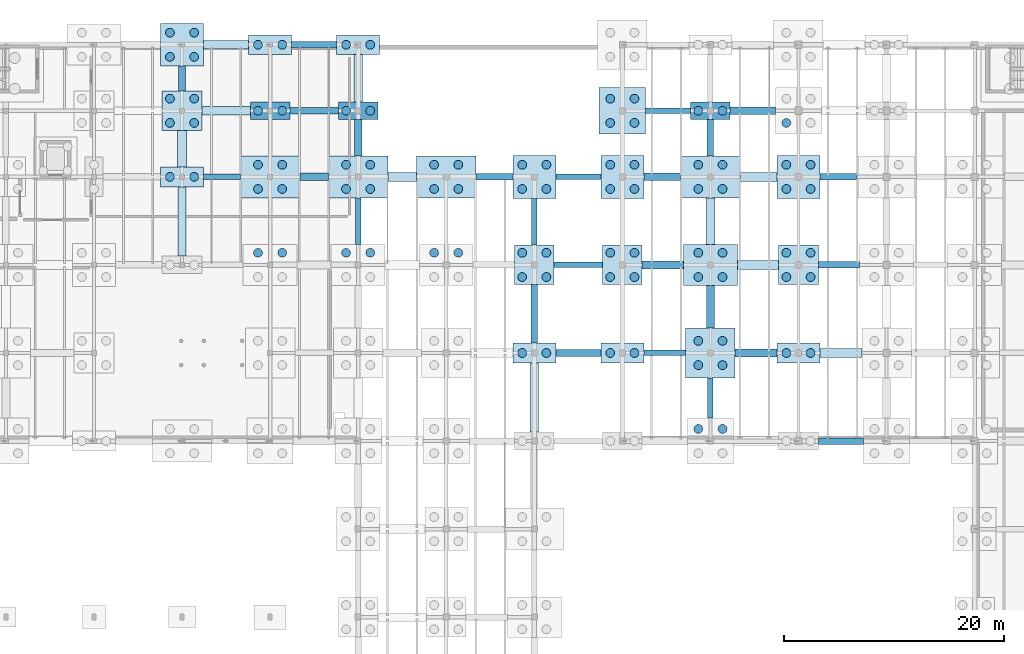
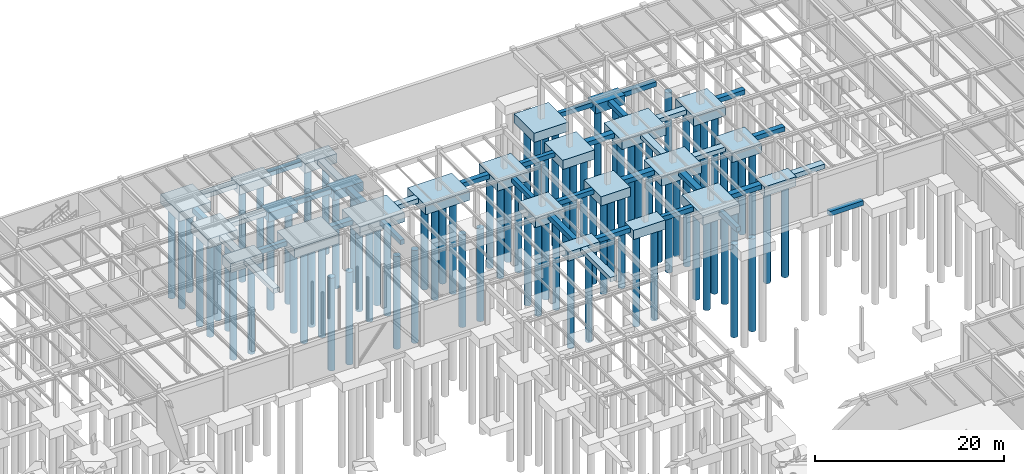
# One storey, part 6 of 71: 87 piles, 60 footings.
"""IFC4 building model written with IfcOpenShell, lengths in metres."""

from ifc_helpers import new_model, si_unit, direction, frame, origin, origin_2d, place, context, subcontext, project, spatial, rectangle, circle, extrude, material, material_profile, profile_set, type_object, element, save


model = new_model("IFC4")

# Units and contexts
model_context = context("Model", 3, precision=1e-05, world=origin(), true_north=direction((0.0, 1.0)))
body_context = subcontext(model_context, "Body", "Model", "MODEL_VIEW")
ifc_project = project(units=[si_unit("LENGTHUNIT", "METRE"), si_unit("AREAUNIT", "SQUARE_METRE"), si_unit("VOLUMEUNIT", "CUBIC_METRE"), si_unit("PLANEANGLEUNIT", "RADIAN"), si_unit("MASSUNIT", "GRAM", prefix="KILO")], contexts=[model_context])

# Site, building, storey
site_placement = place(None, origin())
site = spatial("IfcSite", under=ifc_project, at=site_placement, CompositionType="ELEMENT")
building_placement = place(site_placement, origin())
building = spatial("IfcBuilding", under=site, at=building_placement, Name="Sundkrona Museum", CompositionType="ELEMENT")
storey_placement = place(building_placement, frame((0.0, 0.0, -5.39990234375)))
storey = spatial("IfcBuildingStorey", under=building, at=storey_placement, Name="B1", CompositionType="ELEMENT", Elevation=-5.39990234375)

# Footings
ifc_material = material(Name="Concrete C40/50", Category="concrete")
footing_type_1 = type_object("IfcFootingType", Name="GB-500", PredefinedType="FOOTING_BEAM", material=ifc_material)
footing_1_placement = place(storey_placement, frame((107.85009765625, 86.0, -0.7001953125), z_axis=(0.0, 0.0, 1.0), x_axis=(1.0, 0.0, 0.0)))
element("IfcFooting", 1, at=footing_1_placement, inside=storey, type_object=footing_type_1, Name="Ground Tie Beam GB-X-122", PredefinedType="FOOTING_BEAM", context=body_context, shape_type="SweptSolid", body=[
    extrude(rectangle(XDim=3.800048828125, YDim=0.5, at=origin_2d()), origin(), (0.0, 0.0, 1.0), 0.60009765625),
])
footing_2_placement = place(storey_placement, frame((100.0, 94.0, -0.7001953125), z_axis=(0.0, 0.0, 1.0), x_axis=(1.0, 0.0, 0.0)))
element("IfcFooting", 2, at=footing_2_placement, inside=storey, type_object=footing_type_1, Name="Ground Tie Beam GB-X-142", PredefinedType="FOOTING_BEAM", context=body_context, shape_type="SweptSolid", body=[
    extrude(rectangle(XDim=4.39990234375, YDim=0.5, at=origin_2d()), origin(), (0.0, 0.0, 1.0), 0.60009765625),
])
footing_3_placement = place(storey_placement, frame((67.625, 102.0, -0.7001953125), z_axis=(0.0, 0.0, 1.0), x_axis=(1.0, 0.0, 0.0)))
element("IfcFooting", 3, at=footing_3_placement, inside=storey, type_object=footing_type_1, Name="Ground Tie Beam GB-X-158", PredefinedType="FOOTING_BEAM", context=body_context, shape_type="SweptSolid", body=[
    extrude(rectangle(XDim=3.35009765625, YDim=0.5, at=origin_2d()), origin(), (0.0, 0.0, 1.0), 0.60009765625),
])
for number, where, z_axis, x_axis, name in (
    (4, (100.0, 102.0, -0.7001953125), (0.0, 0.0, 1.0), (1.0, 0.0, 0.0), "Ground Tie Beam GB-X-162"),
    (5, (108.14990234375, 108.0, -0.7001953125), (0.0, 0.0, 1.0), (1.0, 0.0, 0.0), "Ground Tie Beam GB-X-178"),
):
    element("IfcFooting", number, at=place(storey_placement, frame(where, z_axis=z_axis, x_axis=x_axis)), inside=storey, type_object=footing_type_1, Name=name, PredefinedType="FOOTING_BEAM", context=body_context, shape_type="SweptSolid", body=[
        extrude(rectangle(XDim=4.10009765625, YDim=0.5, at=origin_2d()), origin(), (0.0, 0.0, 1.0), 0.60009765625),
    ])
for number, where, z_axis, x_axis, name in (
    (6, (80.0, 97.97509765625, -0.7001953125), (0.0, 0.0, 1.0), (0.0, 1.0, 0.0), "Ground Tie Beam GB-Y-238"),
    (7, (96.0, 97.925048828125, -0.7001953125), (0.0, 0.0, 1.0), (0.0, 1.0, 0.0), "Ground Tie Beam GB-Y-250"),
):
    element("IfcFooting", number, at=place(storey_placement, frame(where, z_axis=z_axis, x_axis=x_axis)), inside=storey, type_object=footing_type_1, Name=name, PredefinedType="FOOTING_BEAM", context=body_context, shape_type="SweptSolid", body=[
        extrude(rectangle(XDim=4.25, YDim=0.5, at=origin_2d()), origin(), (0.0, 0.0, 1.0), 0.60009765625),
    ])
footing_4_placement = place(storey_placement, frame((112.0, 81.925048828125, -0.7001953125), z_axis=(0.0, 0.0, 1.0), x_axis=(0.0, 1.0, 0.0)))
element("IfcFooting", 8, at=footing_4_placement, inside=storey, type_object=footing_type_1, Name="Ground Tie Beam GB-Y-254", PredefinedType="FOOTING_BEAM", context=body_context, shape_type="SweptSolid", body=[
    extrude(rectangle(XDim=3.64990234375, YDim=0.5, at=origin_2d()), origin(), (0.0, 0.0, 1.0), 0.60009765625),
])
footing_type_2 = type_object("IfcFootingType", Name="GB-600", PredefinedType="FOOTING_BEAM", material=ifc_material)
for number, where, z_axis, x_axis, name in (
    (9, (123.85009765625, 78.0, -0.7001953125), (0.0, 0.0, 1.0), (1.0, 0.0, 0.0), "Ground Tie Beam GB-X-105"),
    (10, (100.0, 86.0, -0.7001953125), (0.0, 0.0, 1.0), (1.0, 0.0, 0.0), "Ground Tie Beam GB-X-121"),
):
    element("IfcFooting", number, at=place(storey_placement, frame(where, z_axis=z_axis, x_axis=x_axis)), inside=storey, type_object=footing_type_2, Name=name, PredefinedType="FOOTING_BEAM", context=body_context, shape_type="SweptSolid", body=[
        extrude(rectangle(XDim=4.10009765625, YDim=0.60009765625, at=origin_2d()), origin(), (0.0, 0.0, 1.0), 0.60009765625),
    ])
footing_5_placement = place(storey_placement, frame((123.675048828125, 94.0, -0.7001953125), z_axis=(0.0, 0.0, 1.0), x_axis=(1.0, 0.0, 0.0)))
element("IfcFooting", 11, at=footing_5_placement, inside=storey, type_object=footing_type_2, Name="Ground Tie Beam GB-X-145", PredefinedType="FOOTING_BEAM", context=body_context, shape_type="SweptSolid", body=[
    extrude(rectangle(XDim=3.75, YDim=0.60009765625, at=origin_2d()), origin(), (0.0, 0.0, 1.0), 0.60009765625),
])
for number, where, z_axis, x_axis, name in (
    (12, (92.375, 102.0, -0.7001953125), (0.0, 0.0, 1.0), (1.0, 0.0, 0.0), "Ground Tie Beam GB-X-161"),
    (13, (123.625, 102.0, -0.7001953125), (0.0, 0.0, 1.0), (1.0, 0.0, 0.0), "Ground Tie Beam GB-X-165"),
):
    element("IfcFooting", number, at=place(storey_placement, frame(where, z_axis=z_axis, x_axis=x_axis)), inside=storey, type_object=footing_type_2, Name=name, PredefinedType="FOOTING_BEAM", context=body_context, shape_type="SweptSolid", body=[
        extrude(rectangle(XDim=3.35009765625, YDim=0.60009765625, at=origin_2d()), origin(), (0.0, 0.0, 1.0), 0.60009765625),
    ])
footing_6_placement = place(storey_placement, frame((76.0, 108.0, -0.7001953125), z_axis=(0.0, 0.0, 1.0), x_axis=(1.0, 0.0, 0.0)))
element("IfcFooting", 14, at=footing_6_placement, inside=storey, type_object=footing_type_2, Name="Ground Tie Beam GB-X-177", PredefinedType="FOOTING_BEAM", context=body_context, shape_type="SweptSolid", body=[
    extrude(rectangle(XDim=4.39990234375, YDim=0.60009765625, at=origin_2d()), origin(), (0.0, 0.0, 1.0), 0.60009765625),
])
footing_7_placement = place(storey_placement, frame((76.0, 114.0, -0.7001953125), z_axis=(0.0, 0.0, 1.0), x_axis=(1.0, 0.0, 0.0)))
element("IfcFooting", 15, at=footing_7_placement, inside=storey, type_object=footing_type_2, Name="Ground Tie Beam GB-X-189", PredefinedType="FOOTING_BEAM", context=body_context, shape_type="SweptSolid", body=[
    extrude(rectangle(XDim=4.10009765625, YDim=0.60009765625, at=origin_2d()), origin(), (0.0, 0.0, 1.0), 0.60009765625),
])
footing_8_placement = place(storey_placement, frame((64.0, 110.925048828125, -0.7001953125), z_axis=(0.0, 0.0, 1.0), x_axis=(0.0, 1.0, 0.0)))
element("IfcFooting", 16, at=footing_8_placement, inside=storey, type_object=footing_type_2, Name="Ground Tie Beam GB-Y-225", PredefinedType="FOOTING_BEAM", context=body_context, shape_type="SweptSolid", body=[
    extrude(rectangle(XDim=2.25, YDim=0.60009765625, at=origin_2d()), origin(), (0.0, 0.0, 1.0), 0.60009765625),
])
footing_9_placement = place(storey_placement, frame((96.0, 89.550048828125, -0.7001953125), z_axis=(0.0, 0.0, 1.0), x_axis=(0.0, 1.0, 0.0)))
element("IfcFooting", 17, at=footing_9_placement, inside=storey, type_object=footing_type_2, Name="Ground Tie Beam GB-Y-249", PredefinedType="FOOTING_BEAM", context=body_context, shape_type="SweptSolid", body=[
    extrude(rectangle(XDim=5.300048828125, YDim=0.60009765625, at=origin_2d()), origin(), (0.0, 0.0, 1.0), 0.60009765625),
])
footing_10_placement = place(storey_placement, frame((112.0, 105.550048828125, -0.7001953125), z_axis=(0.0, 0.0, 1.0), x_axis=(0.0, 1.0, 0.0)))
element("IfcFooting", 18, at=footing_10_placement, inside=storey, type_object=footing_type_2, Name="Ground Tie Beam GB-Y-257", PredefinedType="FOOTING_BEAM", context=body_context, shape_type="SweptSolid", body=[
    extrude(rectangle(XDim=3.300048828125, YDim=0.60009765625, at=origin_2d()), origin(), (0.0, 0.0, 1.0), 0.60009765625),
])
footing_type_3 = type_object("IfcFootingType", Name="GB-700", PredefinedType="FOOTING_BEAM", material=ifc_material)
footing_11_placement = place(storey_placement, frame((116.14990234375, 86.0, -0.7001953125), z_axis=(0.0, 0.0, 1.0), x_axis=(1.0, 0.0, 0.0)))
element("IfcFooting", 19, at=footing_11_placement, inside=storey, type_object=footing_type_3, Name="Ground Tie Beam GB-X-123", PredefinedType="FOOTING_BEAM", context=body_context, shape_type="SweptSolid", body=[
    extrude(rectangle(XDim=3.800048828125, YDim=0.699951171875, at=origin_2d()), origin(), (0.0, 0.0, 1.0), 0.60009765625),
])
footing_12_placement = place(storey_placement, frame((107.675048828125, 94.0, -0.7001953125), z_axis=(0.0, 0.0, 1.0), x_axis=(1.0, 0.0, 0.0)))
element("IfcFooting", 20, at=footing_12_placement, inside=storey, type_object=footing_type_3, Name="Ground Tie Beam GB-X-143", PredefinedType="FOOTING_BEAM", context=body_context, shape_type="SweptSolid", body=[
    extrude(rectangle(XDim=3.75, YDim=0.699951171875, at=origin_2d()), origin(), (0.0, 0.0, 1.0), 0.60009765625),
])
footing_13_placement = place(storey_placement, frame((76.0, 102.0, -0.7001953125), z_axis=(0.0, 0.0, 1.0), x_axis=(1.0, 0.0, 0.0)))
element("IfcFooting", 21, at=footing_13_placement, inside=storey, type_object=footing_type_3, Name="Ground Tie Beam GB-X-159", PredefinedType="FOOTING_BEAM", context=body_context, shape_type="SweptSolid", body=[
    extrude(rectangle(XDim=2.60009765625, YDim=0.699951171875, at=origin_2d()), origin(), (0.0, 0.0, 1.0), 0.60009765625),
])
footing_14_placement = place(storey_placement, frame((107.625, 102.0, -0.7001953125), z_axis=(0.0, 0.0, 1.0), x_axis=(1.0, 0.0, 0.0)))
element("IfcFooting", 22, at=footing_14_placement, inside=storey, type_object=footing_type_3, Name="Ground Tie Beam GB-X-163", PredefinedType="FOOTING_BEAM", context=body_context, shape_type="SweptSolid", body=[
    extrude(rectangle(XDim=3.35009765625, YDim=0.699951171875, at=origin_2d()), origin(), (0.0, 0.0, 1.0), 0.60009765625),
])
footing_15_placement = place(storey_placement, frame((115.85009765625, 108.0, -0.7001953125), z_axis=(0.0, 0.0, 1.0), x_axis=(1.0, 0.0, 0.0)))
element("IfcFooting", 23, at=footing_15_placement, inside=storey, type_object=footing_type_3, Name="Ground Tie Beam GB-X-179", PredefinedType="FOOTING_BEAM", context=body_context, shape_type="SweptSolid", body=[
    extrude(rectangle(XDim=4.10009765625, YDim=0.699951171875, at=origin_2d()), origin(), (0.0, 0.0, 1.0), 0.60009765625),
])
footing_16_placement = place(storey_placement, frame((64.0, 97.949951171875, -0.7001953125), z_axis=(0.0, 0.0, 1.0), x_axis=(0.0, 1.0, 0.0)))
element("IfcFooting", 24, at=footing_16_placement, inside=storey, type_object=footing_type_3, Name="Ground Tie Beam GB-Y-223", PredefinedType="FOOTING_BEAM", context=body_context, shape_type="SweptSolid", body=[
    extrude(rectangle(XDim=6.300048828125, YDim=0.699951171875, at=origin_2d()), origin(), (0.0, 0.0, 1.0), 0.60009765625),
])
footing_17_placement = place(storey_placement, frame((80.0, 105.550048828125, -0.7001953125), z_axis=(0.0, 0.0, 1.0), x_axis=(0.0, 1.0, 0.0)))
element("IfcFooting", 25, at=footing_17_placement, inside=storey, type_object=footing_type_3, Name="Ground Tie Beam GB-Y-239", PredefinedType="FOOTING_BEAM", context=body_context, shape_type="SweptSolid", body=[
    extrude(rectangle(XDim=3.300048828125, YDim=0.699951171875, at=origin_2d()), origin(), (0.0, 0.0, 1.0), 0.60009765625),
])
footing_18_placement = place(storey_placement, frame((112.0, 90.199951171875, -0.7001953125), z_axis=(0.0, 0.0, 1.0), x_axis=(0.0, 1.0, 0.0)))
element("IfcFooting", 26, at=footing_18_placement, inside=storey, type_object=footing_type_3, Name="Ground Tie Beam GB-Y-255", PredefinedType="FOOTING_BEAM", context=body_context, shape_type="SweptSolid", body=[
    extrude(rectangle(XDim=3.89990234375, YDim=0.699951171875, at=origin_2d()), origin(), (0.0, 0.0, 1.0), 0.60009765625),
])
footing_type_4 = type_object("IfcFootingType", Name="GB-800", PredefinedType="FOOTING_BEAM", material=ifc_material)
footing_19_placement = place(storey_placement, frame((123.85009765625, 86.0, -0.7001953125), z_axis=(0.0, 0.0, 1.0), x_axis=(1.0, 0.0, 0.0)))
element("IfcFooting", 27, at=footing_19_placement, inside=storey, type_object=footing_type_4, Name="Ground Tie Beam GB-X-124", PredefinedType="FOOTING_BEAM", context=body_context, shape_type="SweptSolid", body=[
    extrude(rectangle(XDim=3.800048828125, YDim=0.800048828125, at=origin_2d()), origin(), (0.0, 0.0, 1.0), 0.60009765625),
])
footing_20_placement = place(storey_placement, frame((116.324951171875, 94.0, -0.7001953125), z_axis=(0.0, 0.0, 1.0), x_axis=(1.0, 0.0, 0.0)))
element("IfcFooting", 28, at=footing_20_placement, inside=storey, type_object=footing_type_4, Name="Ground Tie Beam GB-X-144", PredefinedType="FOOTING_BEAM", context=body_context, shape_type="SweptSolid", body=[
    extrude(rectangle(XDim=3.75, YDim=0.800048828125, at=origin_2d()), origin(), (0.0, 0.0, 1.0), 0.60009765625),
])
footing_21_placement = place(storey_placement, frame((84.0, 102.0, -0.7001953125), z_axis=(0.0, 0.0, 1.0), x_axis=(1.0, 0.0, 0.0)))
element("IfcFooting", 29, at=footing_21_placement, inside=storey, type_object=footing_type_4, Name="Ground Tie Beam GB-X-160", PredefinedType="FOOTING_BEAM", context=body_context, shape_type="SweptSolid", body=[
    extrude(rectangle(XDim=2.60009765625, YDim=0.800048828125, at=origin_2d()), origin(), (0.0, 0.0, 1.0), 0.60009765625),
])
footing_22_placement = place(storey_placement, frame((116.375, 102.0, -0.7001953125), z_axis=(0.0, 0.0, 1.0), x_axis=(1.0, 0.0, 0.0)))
element("IfcFooting", 30, at=footing_22_placement, inside=storey, type_object=footing_type_4, Name="Ground Tie Beam GB-X-164", PredefinedType="FOOTING_BEAM", context=body_context, shape_type="SweptSolid", body=[
    extrude(rectangle(XDim=3.35009765625, YDim=0.800048828125, at=origin_2d()), origin(), (0.0, 0.0, 1.0), 0.60009765625),
])
footing_23_placement = place(storey_placement, frame((68.0, 108.0, -0.7001953125), z_axis=(0.0, 0.0, 1.0), x_axis=(1.0, 0.0, 0.0)))
element("IfcFooting", 31, at=footing_23_placement, inside=storey, type_object=footing_type_4, Name="Ground Tie Beam GB-X-176", PredefinedType="FOOTING_BEAM", context=body_context, shape_type="SweptSolid", body=[
    extrude(rectangle(XDim=4.39990234375, YDim=0.800048828125, at=origin_2d()), origin(), (0.0, 0.0, 1.0), 0.60009765625),
])
footing_24_placement = place(storey_placement, frame((68.0, 114.0, -0.7001953125), z_axis=(0.0, 0.0, 1.0), x_axis=(1.0, 0.0, 0.0)))
element("IfcFooting", 32, at=footing_24_placement, inside=storey, type_object=footing_type_4, Name="Ground Tie Beam GB-X-188", PredefinedType="FOOTING_BEAM", context=body_context, shape_type="SweptSolid", body=[
    extrude(rectangle(XDim=4.10009765625, YDim=0.800048828125, at=origin_2d()), origin(), (0.0, 0.0, 1.0), 0.60009765625),
])
footing_25_placement = place(storey_placement, frame((64.0, 104.550048828125, -0.7001953125), z_axis=(0.0, 0.0, 1.0), x_axis=(0.0, 1.0, 0.0)))
element("IfcFooting", 33, at=footing_25_placement, inside=storey, type_object=footing_type_4, Name="Ground Tie Beam GB-Y-224", PredefinedType="FOOTING_BEAM", context=body_context, shape_type="SweptSolid", body=[
    extrude(rectangle(XDim=3.300048828125, YDim=0.800048828125, at=origin_2d()), origin(), (0.0, 0.0, 1.0), 0.60009765625),
])
footing_26_placement = place(storey_placement, frame((80.0, 110.949951171875, -0.7001953125), z_axis=(0.0, 0.0, 1.0), x_axis=(0.0, 1.0, 0.0)))
element("IfcFooting", 34, at=footing_26_placement, inside=storey, type_object=footing_type_4, Name="Ground Tie Beam GB-Y-240", PredefinedType="FOOTING_BEAM", context=body_context, shape_type="SweptSolid", body=[
    extrude(rectangle(XDim=4.300048828125, YDim=0.800048828125, at=origin_2d()), origin(), (0.0, 0.0, 1.0), 0.60009765625),
])
footing_27_placement = place(storey_placement, frame((96.0, 81.949951171875, -0.7001953125), z_axis=(0.0, 0.0, 1.0), x_axis=(0.0, 1.0, 0.0)))
element("IfcFooting", 35, at=footing_27_placement, inside=storey, type_object=footing_type_4, Name="Ground Tie Beam GB-Y-248", PredefinedType="FOOTING_BEAM", context=body_context, shape_type="SweptSolid", body=[
    extrude(rectangle(XDim=6.300048828125, YDim=0.800048828125, at=origin_2d()), origin(), (0.0, 0.0, 1.0), 0.60009765625),
])
footing_28_placement = place(storey_placement, frame((112.0, 97.97509765625, -0.7001953125), z_axis=(0.0, 0.0, 1.0), x_axis=(0.0, 1.0, 0.0)))
element("IfcFooting", 36, at=footing_28_placement, inside=storey, type_object=footing_type_4, Name="Ground Tie Beam GB-Y-256", PredefinedType="FOOTING_BEAM", context=body_context, shape_type="SweptSolid", body=[
    extrude(rectangle(XDim=4.25, YDim=0.800048828125, at=origin_2d()), origin(), (0.0, 0.0, 1.0), 0.60009765625),
])

# Piles
ifc_material_profile = material_profile(ifc_material, circle(Radius=0.39990234375, at=origin_2d()), Name="PILE D800")
ifc_profile_set = profile_set([ifc_material_profile], Name="Concrete C40/50")
pile_type = type_object("IfcPileType", Name="P-800", PredefinedType="BORED", material=ifc_profile_set)
for number, where, z_axis, x_axis, name in (
    (37, (62.89990234375, 102.0, -1.150146484375), (0.0, 0.0, -1.0), (1.0, 0.0, 0.0), "Bored Pile FC-P-9-P01"),
    (38, (65.10009765625, 102.0, -1.150146484375), (0.0, 0.0, -1.0), (1.0, 0.0, 0.0), "Bored Pile FC-P-9-P02"),
    (39, (62.89990234375, 106.89990234375, -1.150146484375), (0.0, 0.0, -1.0), (1.0, 0.0, 0.0), "Bored Pile FC-Q-9-P01"),
    (40, (65.10009765625, 106.89990234375, -1.150146484375), (0.0, 0.0, -1.0), (1.0, 0.0, 0.0), "Bored Pile FC-Q-9-P02"),
    (41, (62.89990234375, 109.10009765625, -1.150146484375), (0.0, 0.0, -1.0), (1.0, 0.0, 0.0), "Bored Pile FC-Q-9-P03"),
    (42, (65.10009765625, 109.10009765625, -1.150146484375), (0.0, 0.0, -1.0), (1.0, 0.0, 0.0), "Bored Pile FC-Q-9-P04"),
    (43, (62.89990234375, 112.89990234375, -1.150146484375), (0.0, 0.0, -1.0), (1.0, 0.0, 0.0), "Bored Pile FC-R-9-P01"),
    (44, (65.10009765625, 112.89990234375, -1.150146484375), (0.0, 0.0, -1.0), (1.0, 0.0, 0.0), "Bored Pile FC-R-9-P02"),
    (45, (62.89990234375, 115.10009765625, -1.150146484375), (0.0, 0.0, -1.0), (1.0, 0.0, 0.0), "Bored Pile FC-R-9-P03"),
    (46, (65.10009765625, 115.10009765625, -1.150146484375), (0.0, 0.0, -1.0), (1.0, 0.0, 0.0), "Bored Pile FC-R-9-P04"),
    (47, (70.89990234375, 95.10009765625, -1.150146484375), (0.0, 0.0, -1.0), (1.0, 0.0, 0.0), "Bored Pile FC-N-10-P03"),
    (48, (73.10009765625, 95.10009765625, -1.150146484375), (0.0, 0.0, -1.0), (1.0, 0.0, 0.0), "Bored Pile FC-N-10-P04"),
    (49, (70.89990234375, 100.89990234375, -1.150146484375), (0.0, 0.0, -1.0), (1.0, 0.0, 0.0), "Bored Pile FC-P-10-P01"),
    (50, (73.10009765625, 100.89990234375, -1.150146484375), (0.0, 0.0, -1.0), (1.0, 0.0, 0.0), "Bored Pile FC-P-10-P02"),
    (51, (70.89990234375, 103.10009765625, -1.150146484375), (0.0, 0.0, -1.0), (1.0, 0.0, 0.0), "Bored Pile FC-P-10-P03"),
    (52, (73.10009765625, 103.10009765625, -1.150146484375), (0.0, 0.0, -1.0), (1.0, 0.0, 0.0), "Bored Pile FC-P-10-P04"),
    (53, (70.89990234375, 108.0, -1.150146484375), (0.0, 0.0, -1.0), (1.0, 0.0, 0.0), "Bored Pile FC-Q-10-P01"),
    (54, (73.10009765625, 108.0, -1.150146484375), (0.0, 0.0, -1.0), (1.0, 0.0, 0.0), "Bored Pile FC-Q-10-P02"),
    (55, (70.89990234375, 114.0, -1.150146484375), (0.0, 0.0, -1.0), (1.0, 0.0, 0.0), "Bored Pile FC-R-10-P01"),
    (56, (73.10009765625, 114.0, -1.150146484375), (0.0, 0.0, -1.0), (1.0, 0.0, 0.0), "Bored Pile FC-R-10-P02"),
    (57, (78.89990234375, 95.10009765625, -1.150146484375), (0.0, 0.0, -1.0), (1.0, 0.0, 0.0), "Bored Pile FC-N-11-P03"),
    (58, (81.10009765625, 95.10009765625, -1.150146484375), (0.0, 0.0, -1.0), (1.0, 0.0, 0.0), "Bored Pile FC-N-11-P04"),
    (59, (78.89990234375, 100.89990234375, -1.150146484375), (0.0, 0.0, -1.0), (1.0, 0.0, 0.0), "Bored Pile FC-P-11-P01"),
    (60, (81.10009765625, 100.89990234375, -1.150146484375), (0.0, 0.0, -1.0), (1.0, 0.0, 0.0), "Bored Pile FC-P-11-P02"),
    (61, (78.89990234375, 103.10009765625, -1.150146484375), (0.0, 0.0, -1.0), (1.0, 0.0, 0.0), "Bored Pile FC-P-11-P03"),
    (62, (81.10009765625, 103.10009765625, -1.150146484375), (0.0, 0.0, -1.0), (1.0, 0.0, 0.0), "Bored Pile FC-P-11-P04"),
    (63, (78.89990234375, 108.0, -1.150146484375), (0.0, 0.0, -1.0), (1.0, 0.0, 0.0), "Bored Pile FC-Q-11-P01"),
    (64, (81.10009765625, 108.0, -1.150146484375), (0.0, 0.0, -1.0), (1.0, 0.0, 0.0), "Bored Pile FC-Q-11-P02"),
    (65, (78.89990234375, 114.0, -1.150146484375), (0.0, 0.0, -1.0), (1.0, 0.0, 0.0), "Bored Pile FC-R-11-P01"),
    (66, (81.10009765625, 114.0, -1.150146484375), (0.0, 0.0, -1.0), (1.0, 0.0, 0.0), "Bored Pile FC-R-11-P02"),
    (67, (86.89990234375, 95.10009765625, -1.150146484375), (0.0, 0.0, -1.0), (1.0, 0.0, 0.0), "Bored Pile FC-N-12-P03"),
    (68, (89.10009765625, 95.10009765625, -1.150146484375), (0.0, 0.0, -1.0), (1.0, 0.0, 0.0), "Bored Pile FC-N-12-P04"),
    (69, (86.89990234375, 100.89990234375, -1.150146484375), (0.0, 0.0, -1.0), (1.0, 0.0, 0.0), "Bored Pile FC-P-12-P01"),
    (70, (89.10009765625, 100.89990234375, -1.150146484375), (0.0, 0.0, -1.0), (1.0, 0.0, 0.0), "Bored Pile FC-P-12-P02"),
    (71, (86.89990234375, 103.10009765625, -1.150146484375), (0.0, 0.0, -1.0), (1.0, 0.0, 0.0), "Bored Pile FC-P-12-P03"),
    (72, (89.10009765625, 103.10009765625, -1.150146484375), (0.0, 0.0, -1.0), (1.0, 0.0, 0.0), "Bored Pile FC-P-12-P04"),
    (73, (94.89990234375, 86.0, -1.150146484375), (0.0, 0.0, -1.0), (1.0, 0.0, 0.0), "Bored Pile FC-M-13-P01"),
    (74, (97.10009765625, 86.0, -1.150146484375), (0.0, 0.0, -1.0), (1.0, 0.0, 0.0), "Bored Pile FC-M-13-P02"),
    (75, (94.89990234375, 92.89990234375, -1.150146484375), (0.0, 0.0, -1.0), (1.0, 0.0, 0.0), "Bored Pile FC-N-13-P01"),
    (76, (97.10009765625, 92.89990234375, -1.150146484375), (0.0, 0.0, -1.0), (1.0, 0.0, 0.0), "Bored Pile FC-N-13-P02"),
    (77, (94.89990234375, 95.10009765625, -1.150146484375), (0.0, 0.0, -1.0), (1.0, 0.0, 0.0), "Bored Pile FC-N-13-P03"),
    (78, (97.10009765625, 95.10009765625, -1.150146484375), (0.0, 0.0, -1.0), (1.0, 0.0, 0.0), "Bored Pile FC-N-13-P04"),
    (79, (94.89990234375, 100.89990234375, -1.150146484375), (0.0, 0.0, -1.0), (1.0, 0.0, 0.0), "Bored Pile FC-P-13-P01"),
    (80, (97.10009765625, 100.89990234375, -1.150146484375), (0.0, 0.0, -1.0), (1.0, 0.0, 0.0), "Bored Pile FC-P-13-P02"),
    (81, (94.89990234375, 103.10009765625, -1.150146484375), (0.0, 0.0, -1.0), (1.0, 0.0, 0.0), "Bored Pile FC-P-13-P03"),
    (82, (97.10009765625, 103.10009765625, -1.150146484375), (0.0, 0.0, -1.0), (1.0, 0.0, 0.0), "Bored Pile FC-P-13-P04"),
    (83, (102.89990234375, 86.0, -1.150146484375), (0.0, 0.0, -1.0), (1.0, 0.0, 0.0), "Bored Pile FC-M-14-P01"),
    (84, (105.10009765625, 86.0, -1.150146484375), (0.0, 0.0, -1.0), (1.0, 0.0, 0.0), "Bored Pile FC-M-14-P02"),
    (85, (102.89990234375, 92.89990234375, -1.150146484375), (0.0, 0.0, -1.0), (1.0, 0.0, 0.0), "Bored Pile FC-N-14-P01"),
    (86, (105.10009765625, 92.89990234375, -1.150146484375), (0.0, 0.0, -1.0), (1.0, 0.0, 0.0), "Bored Pile FC-N-14-P02"),
    (87, (102.89990234375, 95.10009765625, -1.150146484375), (0.0, 0.0, -1.0), (1.0, 0.0, 0.0), "Bored Pile FC-N-14-P03"),
    (88, (105.10009765625, 95.10009765625, -1.150146484375), (0.0, 0.0, -1.0), (1.0, 0.0, 0.0), "Bored Pile FC-N-14-P04"),
    (89, (102.89990234375, 100.89990234375, -1.150146484375), (0.0, 0.0, -1.0), (1.0, 0.0, 0.0), "Bored Pile FC-P-14-P01"),
    (90, (105.10009765625, 100.89990234375, -1.150146484375), (0.0, 0.0, -1.0), (1.0, 0.0, 0.0), "Bored Pile FC-P-14-P02"),
    (91, (102.89990234375, 103.10009765625, -1.150146484375), (0.0, 0.0, -1.0), (1.0, 0.0, 0.0), "Bored Pile FC-P-14-P03"),
    (92, (105.10009765625, 103.10009765625, -1.150146484375), (0.0, 0.0, -1.0), (1.0, 0.0, 0.0), "Bored Pile FC-P-14-P04"),
    (93, (102.89990234375, 106.89990234375, -1.150146484375), (0.0, 0.0, -1.0), (1.0, 0.0, 0.0), "Bored Pile FC-Q-14-P01"),
    (94, (105.10009765625, 106.89990234375, -1.150146484375), (0.0, 0.0, -1.0), (1.0, 0.0, 0.0), "Bored Pile FC-Q-14-P02"),
    (95, (102.89990234375, 109.10009765625, -1.150146484375), (0.0, 0.0, -1.0), (1.0, 0.0, 0.0), "Bored Pile FC-Q-14-P03"),
    (96, (105.10009765625, 109.10009765625, -1.150146484375), (0.0, 0.0, -1.0), (1.0, 0.0, 0.0), "Bored Pile FC-Q-14-P04"),
    (97, (110.89990234375, 79.10009765625, -1.150146484375), (0.0, 0.0, -1.0), (1.0, 0.0, 0.0), "Bored Pile FC-L-15-P03"),
    (98, (113.10009765625, 79.10009765625, -1.150146484375), (0.0, 0.0, -1.0), (1.0, 0.0, 0.0), "Bored Pile FC-L-15-P04"),
    (99, (110.89990234375, 84.89990234375, -1.150146484375), (0.0, 0.0, -1.0), (1.0, 0.0, 0.0), "Bored Pile FC-M-15-P01"),
    (100, (113.10009765625, 84.89990234375, -1.150146484375), (0.0, 0.0, -1.0), (1.0, 0.0, 0.0), "Bored Pile FC-M-15-P02"),
    (101, (110.89990234375, 87.10009765625, -1.150146484375), (0.0, 0.0, -1.0), (1.0, 0.0, 0.0), "Bored Pile FC-M-15-P03"),
    (102, (113.10009765625, 87.10009765625, -1.150146484375), (0.0, 0.0, -1.0), (1.0, 0.0, 0.0), "Bored Pile FC-M-15-P04"),
    (103, (110.89990234375, 92.89990234375, -1.150146484375), (0.0, 0.0, -1.0), (1.0, 0.0, 0.0), "Bored Pile FC-N-15-P01"),
    (104, (113.10009765625, 92.89990234375, -1.150146484375), (0.0, 0.0, -1.0), (1.0, 0.0, 0.0), "Bored Pile FC-N-15-P02"),
    (105, (110.89990234375, 95.10009765625, -1.150146484375), (0.0, 0.0, -1.0), (1.0, 0.0, 0.0), "Bored Pile FC-N-15-P03"),
    (106, (113.10009765625, 95.10009765625, -1.150146484375), (0.0, 0.0, -1.0), (1.0, 0.0, 0.0), "Bored Pile FC-N-15-P04"),
    (107, (110.89990234375, 100.89990234375, -1.150146484375), (0.0, 0.0, -1.0), (1.0, 0.0, 0.0), "Bored Pile FC-P-15-P01"),
    (108, (113.10009765625, 100.89990234375, -1.150146484375), (0.0, 0.0, -1.0), (1.0, 0.0, 0.0), "Bored Pile FC-P-15-P02"),
    (109, (110.89990234375, 103.10009765625, -1.150146484375), (0.0, 0.0, -1.0), (1.0, 0.0, 0.0), "Bored Pile FC-P-15-P03"),
    (110, (113.10009765625, 103.10009765625, -1.150146484375), (0.0, 0.0, -1.0), (1.0, 0.0, 0.0), "Bored Pile FC-P-15-P04"),
    (111, (110.89990234375, 108.0, -1.150146484375), (0.0, 0.0, -1.0), (1.0, 0.0, 0.0), "Bored Pile FC-Q-15-P01"),
    (112, (113.10009765625, 108.0, -1.150146484375), (0.0, 0.0, -1.0), (1.0, 0.0, 0.0), "Bored Pile FC-Q-15-P02"),
    (113, (118.89990234375, 86.0, -1.150146484375), (0.0, 0.0, -1.0), (1.0, 0.0, 0.0), "Bored Pile FC-M-16-P01"),
    (114, (121.10009765625, 86.0, -1.150146484375), (0.0, 0.0, -1.0), (1.0, 0.0, 0.0), "Bored Pile FC-M-16-P02"),
    (115, (118.89990234375, 92.89990234375, -1.150146484375), (0.0, 0.0, -1.0), (1.0, 0.0, 0.0), "Bored Pile FC-N-16-P01"),
    (116, (121.10009765625, 92.89990234375, -1.150146484375), (0.0, 0.0, -1.0), (1.0, 0.0, 0.0), "Bored Pile FC-N-16-P02"),
    (117, (118.89990234375, 95.10009765625, -1.150146484375), (0.0, 0.0, -1.0), (1.0, 0.0, 0.0), "Bored Pile FC-N-16-P03"),
    (118, (121.10009765625, 95.10009765625, -1.150146484375), (0.0, 0.0, -1.0), (1.0, 0.0, 0.0), "Bored Pile FC-N-16-P04"),
    (119, (118.89990234375, 100.89990234375, -1.150146484375), (0.0, 0.0, -1.0), (1.0, 0.0, 0.0), "Bored Pile FC-P-16-P01"),
    (120, (121.10009765625, 100.89990234375, -1.150146484375), (0.0, 0.0, -1.0), (1.0, 0.0, 0.0), "Bored Pile FC-P-16-P02"),
    (121, (118.89990234375, 103.10009765625, -1.150146484375), (0.0, 0.0, -1.0), (1.0, 0.0, 0.0), "Bored Pile FC-P-16-P03"),
    (122, (121.10009765625, 103.10009765625, -1.150146484375), (0.0, 0.0, -1.0), (1.0, 0.0, 0.0), "Bored Pile FC-P-16-P04"),
    (123, (118.89990234375, 106.89990234375, -1.150146484375), (0.0, 0.0, -1.0), (1.0, 0.0, 0.0), "Bored Pile FC-Q-16-P01"),
):
    element("IfcPile", number, at=place(storey_placement, frame(where, z_axis=z_axis, x_axis=x_axis)), inside=storey, type_object=pile_type, Name=name, PredefinedType="BORED", context=body_context, shape_type="SweptSolid", body=[
        extrude(circle(Radius=0.39990234375, at=origin_2d()), origin(), (0.0, 0.0, 1.0), 12.0),
    ])

# Footings
footing_type_5 = type_object("IfcFootingType", Name="PC-2A", PredefinedType="PILE_CAP", material=ifc_material)
for number, where, z_axis, x_axis, name in (
    (124, (72.0, 108.0, -1.30029296875), (0.0, 0.0, 1.0), (1.0, 0.0, 0.0), "Column Pile Cap Q/10"),
    (125, (80.0, 108.0, -1.30029296875), (0.0, 0.0, 1.0), (1.0, 0.0, 0.0), "Column Pile Cap Q/11"),
    (126, (112.0, 108.0, -1.30029296875), (0.0, 0.0, 1.0), (1.0, 0.0, 0.0), "Column Pile Cap Q/15"),
):
    element("IfcFooting", number, at=place(storey_placement, frame(where, z_axis=z_axis, x_axis=x_axis)), inside=storey, type_object=footing_type_5, Name=name, PredefinedType="PILE_CAP", context=body_context, shape_type="SweptSolid", body=[
        extrude(rectangle(XDim=3.60009765625, YDim=1.60009765625, at=origin_2d()), origin(), (0.0, 0.0, 1.0), 1.199951171875),
    ])
footing_type_6 = type_object("IfcFootingType", Name="PC-2B", PredefinedType="PILE_CAP", material=ifc_material)
for number, where, z_axis, x_axis, name in (
    (127, (64.0, 102.0, -1.30029296875), (0.0, 0.0, 1.0), (1.0, 0.0, 0.0), "Column Pile Cap P/9"),
    (128, (72.0, 114.0, -1.30029296875), (0.0, 0.0, 1.0), (1.0, 0.0, 0.0), "Column Pile Cap R/10"),
    (129, (80.0, 114.0, -1.30029296875), (0.0, 0.0, 1.0), (1.0, 0.0, 0.0), "Column Pile Cap R/11"),
    (130, (96.0, 86.0, -1.30029296875), (0.0, 0.0, 1.0), (1.0, 0.0, 0.0), "Column Pile Cap M/13"),
    (131, (104.0, 86.0, -1.30029296875), (0.0, 0.0, 1.0), (1.0, 0.0, 0.0), "Column Pile Cap M/14"),
    (132, (120.0, 86.0, -1.30029296875), (0.0, 0.0, 1.0), (1.0, 0.0, 0.0), "Column Pile Cap M/16"),
):
    element("IfcFooting", number, at=place(storey_placement, frame(where, z_axis=z_axis, x_axis=x_axis)), inside=storey, type_object=footing_type_6, Name=name, PredefinedType="PILE_CAP", context=body_context, shape_type="SweptSolid", body=[
        extrude(rectangle(XDim=3.89990234375, YDim=1.800048828125, at=origin_2d()), origin(), (0.0, 0.0, 1.0), 1.199951171875),
    ])
footing_type_7 = type_object("IfcFootingType", Name="PC-4A", PredefinedType="PILE_CAP", material=ifc_material)
for number, where, z_axis, x_axis, name in (
    (133, (64.0, 108.0, -1.30029296875), (0.0, 0.0, 1.0), (1.0, 0.0, 0.0), "Column Pile Cap Q/9"),
    (134, (96.0, 94.0, -1.30029296875), (0.0, 0.0, 1.0), (1.0, 0.0, 0.0), "Column Pile Cap N/13"),
    (135, (104.0, 94.0, -1.30029296875), (0.0, 0.0, 1.0), (1.0, 0.0, 0.0), "Column Pile Cap N/14"),
    (136, (120.0, 94.0, -1.30029296875), (0.0, 0.0, 1.0), (1.0, 0.0, 0.0), "Column Pile Cap N/16"),
):
    element("IfcFooting", number, at=place(storey_placement, frame(where, z_axis=z_axis, x_axis=x_axis)), inside=storey, type_object=footing_type_7, Name=name, PredefinedType="PILE_CAP", context=body_context, shape_type="SweptSolid", body=[
        extrude(rectangle(XDim=3.60009765625, YDim=3.60009765625, at=origin_2d()), origin(), (0.0, 0.0, 1.0), 1.199951171875),
    ])
footing_type_8 = type_object("IfcFootingType", Name="PC-4B", PredefinedType="PILE_CAP", material=ifc_material)
for number, where, z_axis, x_axis, name in (
    (137, (64.0, 114.0, -1.30029296875), (0.0, 0.0, 1.0), (1.0, 0.0, 0.0), "Column Pile Cap R/9"),
    (138, (96.0, 102.0, -1.30029296875), (0.0, 0.0, 1.0), (1.0, 0.0, 0.0), "Column Pile Cap P/13"),
    (139, (104.0, 102.0, -1.30029296875), (0.0, 0.0, 1.0), (1.0, 0.0, 0.0), "Column Pile Cap P/14"),
    (140, (120.0, 102.0, -1.30029296875), (0.0, 0.0, 1.0), (1.0, 0.0, 0.0), "Column Pile Cap P/16"),
):
    element("IfcFooting", number, at=place(storey_placement, frame(where, z_axis=z_axis, x_axis=x_axis)), inside=storey, type_object=footing_type_8, Name=name, PredefinedType="PILE_CAP", context=body_context, shape_type="SweptSolid", body=[
        extrude(rectangle(XDim=3.89990234375, YDim=3.89990234375, at=origin_2d()), origin(), (0.0, 0.0, 1.0), 1.199951171875),
    ])
footing_type_9 = type_object("IfcFootingType", Name="PC-4C", PredefinedType="PILE_CAP", material=ifc_material)
footing_29_placement = place(storey_placement, frame((104.0, 108.0, -1.30029296875), z_axis=(0.0, 0.0, 1.0), x_axis=(1.0, 0.0, 0.0)))
element("IfcFooting", 141, at=footing_29_placement, inside=storey, type_object=footing_type_9, Name="Column Pile Cap Q/14", PredefinedType="PILE_CAP", context=body_context, shape_type="SweptSolid", body=[
    extrude(rectangle(XDim=4.199951171875, YDim=4.199951171875, at=origin_2d()), origin(), (0.0, 0.0, 1.0), 1.199951171875),
])
footing_type_10 = type_object("IfcFootingType", Name="PC-4D", PredefinedType="PILE_CAP", material=ifc_material)
footing_30_placement = place(storey_placement, frame((112.0, 86.0, -1.30029296875), z_axis=(0.0, 0.0, 1.0), x_axis=(1.0, 0.0, 0.0)))
element("IfcFooting", 142, at=footing_30_placement, inside=storey, type_object=footing_type_10, Name="Column Pile Cap M/15", PredefinedType="PILE_CAP", context=body_context, shape_type="SweptSolid", body=[
    extrude(rectangle(XDim=4.5, YDim=4.5, at=origin_2d()), origin(), (0.0, 0.0, 1.0), 1.199951171875),
])
footing_type_11 = type_object("IfcFootingType", Name="PC-4E", PredefinedType="PILE_CAP", material=ifc_material)
footing_31_placement = place(storey_placement, frame((112.0, 94.0, -1.30029296875), z_axis=(0.0, 0.0, 1.0), x_axis=(1.0, 0.0, 0.0)))
element("IfcFooting", 143, at=footing_31_placement, inside=storey, type_object=footing_type_11, Name="Column Pile Cap N/15", PredefinedType="PILE_CAP", context=body_context, shape_type="SweptSolid", body=[
    extrude(rectangle(XDim=4.89990234375, YDim=3.699951171875, at=origin_2d()), origin(), (0.0, 0.0, 1.0), 1.199951171875),
])
footing_type_12 = type_object("IfcFootingType", Name="PC-4F", PredefinedType="PILE_CAP", material=ifc_material)
for number, where, z_axis, x_axis, name in (
    (144, (72.0, 102.0, -1.30029296875), (0.0, 0.0, 1.0), (1.0, 0.0, 0.0), "Column Pile Cap P/10"),
    (145, (80.0, 102.0, -1.30029296875), (0.0, 0.0, 1.0), (1.0, 0.0, 0.0), "Column Pile Cap P/11"),
    (146, (88.0, 102.0, -1.30029296875), (0.0, 0.0, 1.0), (1.0, 0.0, 0.0), "Column Pile Cap P/12"),
    (147, (112.0, 102.0, -1.30029296875), (0.0, 0.0, 1.0), (1.0, 0.0, 0.0), "Column Pile Cap P/15"),
):
    element("IfcFooting", number, at=place(storey_placement, frame(where, z_axis=z_axis, x_axis=x_axis)), inside=storey, type_object=footing_type_12, Name=name, PredefinedType="PILE_CAP", context=body_context, shape_type="SweptSolid", body=[
        extrude(rectangle(XDim=5.39990234375, YDim=3.800048828125, at=origin_2d()), origin(), (0.0, 0.0, 1.0), 1.199951171875),
    ])

save(model, "model.ifc")
